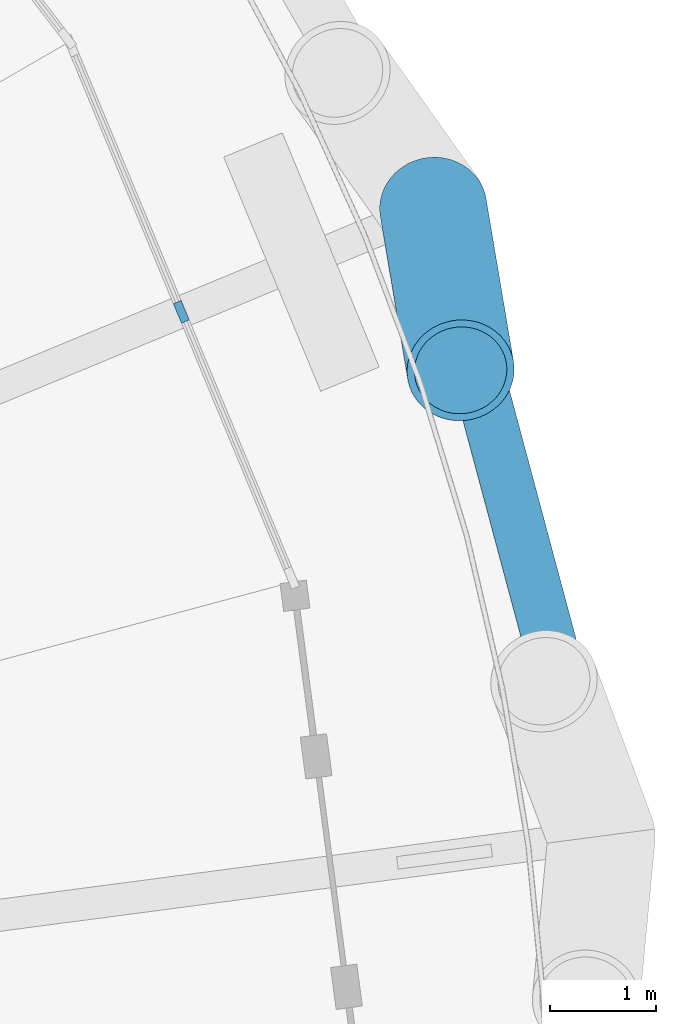
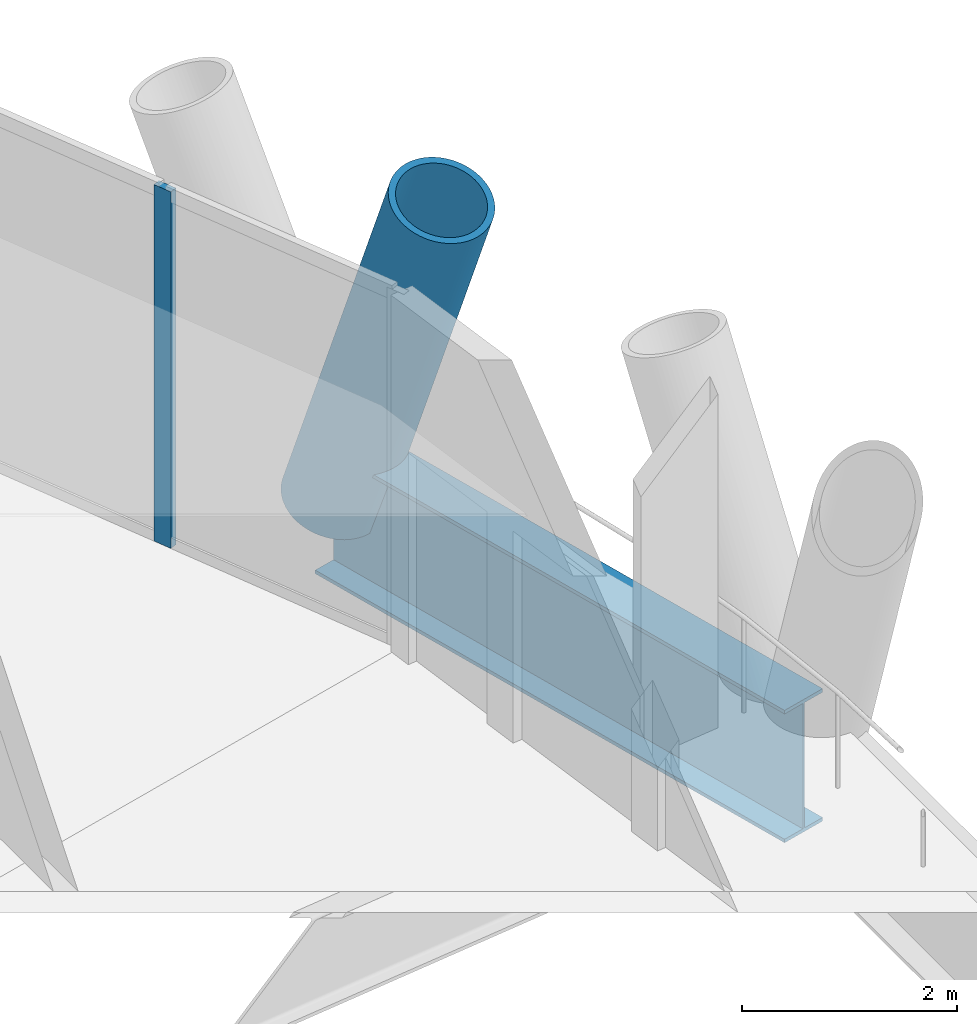
# One storey, part 5 of 14: 2 members, 1 beam, 1 element without a shape of its own.
"""IFC4 building model written with IfcOpenShell, lengths in metres."""

from ifc_helpers import new_model, si_unit, direction, frame, origin, origin_2d, place, context, subcontext, project, spatial, rectangle, hollow_circle, i_section, extrude, material, material_profile, profile_set, type_object, element, aggregate, save


model = new_model("IFC4")

# Units and contexts
model_context = context("Model", 3, precision=1e-05, world=origin(), true_north=direction((0.0, 1.0)))
body_context = subcontext(model_context, "Body", "Model", "MODEL_VIEW")
ifc_project = project(units=[si_unit("LENGTHUNIT", "METRE"), si_unit("AREAUNIT", "SQUARE_METRE"), si_unit("VOLUMEUNIT", "CUBIC_METRE"), si_unit("PLANEANGLEUNIT", "RADIAN"), si_unit("MASSUNIT", "GRAM", prefix="KILO")], contexts=[model_context])

# Site, building, storey
site_placement = place(None, origin())
site = spatial("IfcSite", under=ifc_project, at=site_placement, CompositionType="ELEMENT")
building_placement = place(site_placement, origin())
building = spatial("IfcBuilding", under=site, at=building_placement, Name="Qaws Media Tower", CompositionType="ELEMENT")
storey_placement = place(building_placement, frame((0.0, 0.0, 202.39990234375)))
storey = spatial("IfcBuildingStorey", under=building, at=storey_placement, Name="L46", CompositionType="ELEMENT", Elevation=202.39990234375)

# Curtain wall, member
ifc_material_1 = material(Name="Aluminium and clear glass", Category="aluminium")
curtain_wall_type = type_object("IfcCurtainWallType", Name="Unitised curtain wall CW-C", PredefinedType="NOTDEFINED", material=ifc_material_1)
curtain_wall_placement = place(storey_placement, origin())
curtain_wall = element("IfcCurtainWall", 1, at=curtain_wall_placement, inside=storey, type_object=curtain_wall_type, Name="CWC curtain wall L46-02", PredefinedType="NOTDEFINED")
ifc_material_2 = material(Name="Aluminium mullion", Category="aluminium")
ifc_material_profile_1 = material_profile(ifc_material_2, rectangle(XDim=0.080078125, YDim=0.199951171875, at=origin_2d()), Name="80x200")
ifc_profile_set_1 = profile_set([ifc_material_profile_1], Name="Aluminium mullion")
member_type_1 = type_object("IfcMemberType", Name="Curtain wall mullion 80x200", PredefinedType="MULLION", material=ifc_profile_set_1)
member_1_placement = place(storey_placement, frame((79.418701171875, 58.04345703125, 0.0), z_axis=(0.0, 0.0, 1.0), x_axis=(-0.923879523321, -0.382683454553, 0.0)))
member_1 = element("IfcMember", 2, at=member_1_placement, type_object=member_type_1, Name="CWC mullion 2", PredefinedType="MULLION", context=body_context, shape_type="SweptSolid", body=[
    extrude(rectangle(XDim=0.080078125, YDim=0.199951171875, at=origin_2d()), origin(), (0.0, 0.0, 1.0), 4.0400390625),
])
aggregate(curtain_wall, [member_1])

# Member
ifc_material_3 = material(Name="Steel S460", Category="steel")
ifc_material_profile_2 = material_profile(ifc_material_3, hollow_circle(Radius=0.508056640625, WallThickness=0.070068359375, at=origin_2d()), Name="CHS 1016x70")
ifc_profile_set_2 = profile_set([ifc_material_profile_2], Name="Steel S460")
member_type_2 = type_object("IfcMemberType", Name="Diagrid member CHS 1016x70", PredefinedType="USERDEFINED", material=ifc_profile_set_2)
member_2_placement = place(storey_placement, frame((81.803466796875, 59.03125, -0.909912109375), z_axis=(0.058017977607, -0.34402209257, 0.937167388516), x_axis=(0.986075579143, 0.166297781756, 0.0)))
element("IfcMember", 3, at=member_2_placement, inside=storey, type_object=member_type_2, Name="DG3 diagrid L46 B02", ObjectType="DIAGRID", PredefinedType="USERDEFINED", context=body_context, shape_type="SweptSolid", body=[
    extrude(hollow_circle(Radius=0.508056640625, WallThickness=0.070068359375, at=origin_2d()), origin(), (0.0, 0.0, 1.0), 4.4814453125),
])

# Beam
ifc_material_4 = material(Name="Steel S460", Category="steel")
ifc_material_profile_3 = material_profile(ifc_material_4, i_section(OverallWidth=0.5, OverallDepth=1.5, WebThickness=0.02001953125, FlangeThickness=0.0400390625, at=origin_2d()), Name="PG 1500x500")
ifc_profile_set_3 = profile_set([ifc_material_profile_3], Name="Steel S460")
beam_type = type_object("IfcBeamType", Name="Edge ring beam PG 1500x500", PredefinedType="BEAM", material=ifc_profile_set_3)
beam_placement = place(storey_placement, frame((83.398193359375, 53.080322265625, -0.909912109375), z_axis=(-0.258846347058, 0.965918510339, 0.0), x_axis=(-0.965918510339, -0.258846347058, 0.0)))
element("IfcBeam", 4, at=beam_placement, inside=storey, type_object=beam_type, Name="RB4 edge ring beam L46-01", PredefinedType="BEAM", context=body_context, shape_type="SweptSolid", body=[
    extrude(i_section(OverallWidth=0.5, OverallDepth=1.5, WebThickness=0.02001953125, FlangeThickness=0.0400390625, at=origin_2d()), origin(), (0.0, 0.0, 1.0), 6.160888671875),
])

save(model, "model.ifc")
